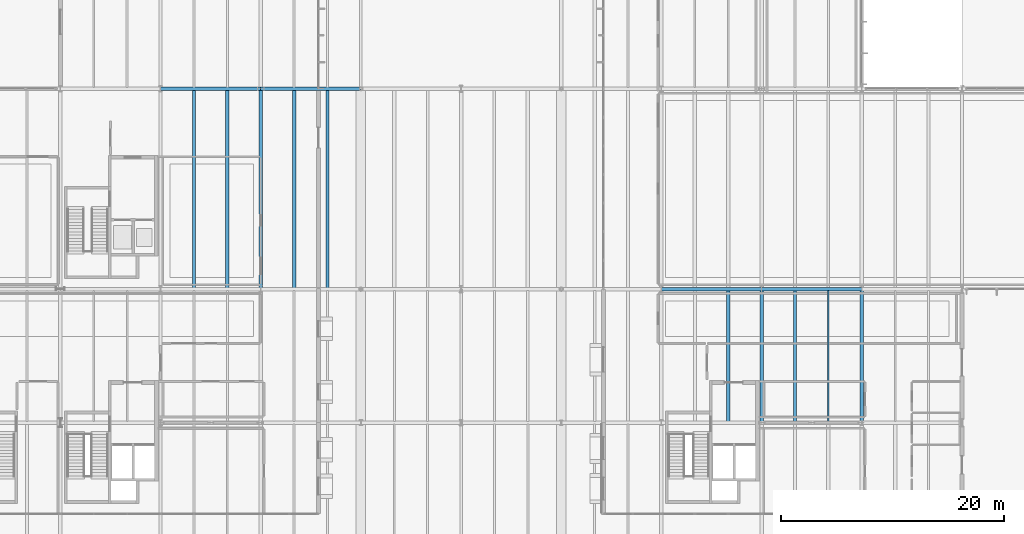
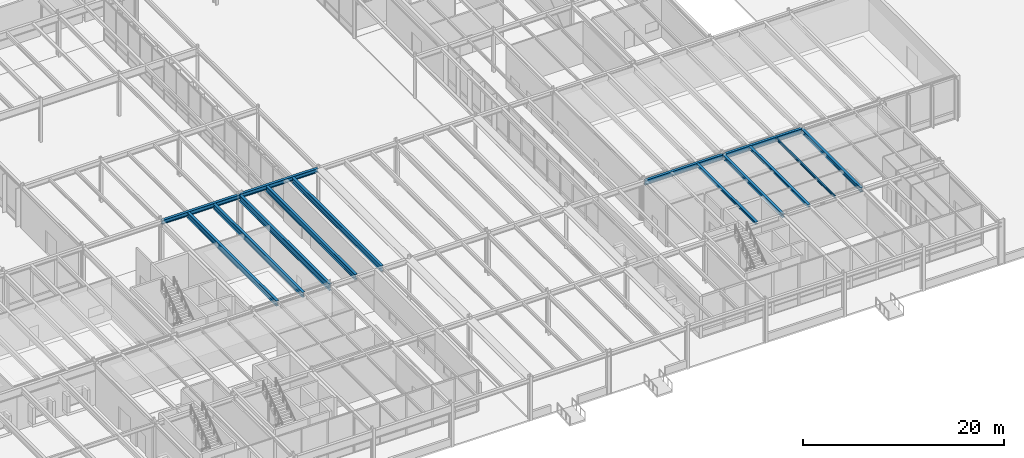
# One storey, part 39 of 143: 14 beams.
"""IFC4 building model written with IfcOpenShell, lengths in metres."""

from ifc_helpers import new_model, si_unit, direction, frame, origin, origin_2d, place, context, subcontext, project, spatial, i_section, extrude, material, material_profile, profile_set, type_object, element, save


model = new_model("IFC4")

# Units and contexts
model_context = context("Model", 3, precision=1e-05, world=origin(), true_north=direction((0.0, 1.0)))
body_context = subcontext(model_context, "Body", "Model", "MODEL_VIEW")
ifc_project = project(units=[si_unit("LENGTHUNIT", "METRE"), si_unit("AREAUNIT", "SQUARE_METRE"), si_unit("VOLUMEUNIT", "CUBIC_METRE"), si_unit("PLANEANGLEUNIT", "RADIAN"), si_unit("MASSUNIT", "GRAM", prefix="KILO")], contexts=[model_context])

# Site, building, storey
site_placement = place(None, origin())
site = spatial("IfcSite", under=ifc_project, at=site_placement, CompositionType="ELEMENT")
building_placement = place(site_placement, origin())
building = spatial("IfcBuilding", under=site, at=building_placement, Name="Montelvaro Courts of Justice", CompositionType="ELEMENT")
storey_placement = place(building_placement, origin())
storey = spatial("IfcBuildingStorey", under=building, at=storey_placement, Name="L00", CompositionType="ELEMENT", Elevation=0.0)

# Beams
ifc_material = material(Name="Steel S355", Category="steel")
ifc_material_profile_1 = material_profile(ifc_material, i_section(OverallWidth=0.300048828125, OverallDepth=0.31005859375, WebThickness=0.009033203125, FlangeThickness=0.015380859375, at=origin_2d()), Name="HEA 320")
ifc_profile_set_1 = profile_set([ifc_material_profile_1], Name="Steel S355")
beam_type_1 = type_object("IfcBeamType", Name="Beam_HEA320", PredefinedType="BEAM", material=ifc_profile_set_1)
for number, where, z_axis, x_axis, name in (
    (1, (114.0, 12.110107421875, 4.925048828125), (0.0, 1.0, 0.0), (-1.0, 0.0, 0.0), "Beam B-15 L00"),
    (2, (120.0, 12.110107421875, 4.925048828125), (0.0, 1.0, 0.0), (-1.0, 0.0, 0.0), "Beam B-15 L00"),
):
    element("IfcBeam", number, at=place(storey_placement, frame(where, z_axis=z_axis, x_axis=x_axis)), inside=storey, type_object=beam_type_1, Name=name, PredefinedType="BEAM", context=body_context, shape_type="SweptSolid", body=[
        extrude(i_section(OverallWidth=0.300048828125, OverallDepth=0.31005859375, WebThickness=0.009033203125, FlangeThickness=0.015380859375, at=origin_2d()), origin(), (0.0, 0.0, 1.0), 11.77978515625),
    ])
ifc_material_profile_2 = material_profile(ifc_material, i_section(OverallWidth=0.300048828125, OverallDepth=0.43994140625, WebThickness=0.011474609375, FlangeThickness=0.02099609375, at=origin_2d()), Name="HEA 450")
ifc_profile_set_2 = profile_set([ifc_material_profile_2], Name="Steel S355")
beam_type_2 = type_object("IfcBeamType", Name="Beam_HEA450", PredefinedType="USERDEFINED", material=ifc_profile_set_2)
beam_1_placement = place(storey_placement, frame((117.0, 12.0, 4.860107421875), z_axis=(0.0, 1.0, 0.0), x_axis=(-1.0, 0.0, 0.0)))
element("IfcBeam", 3, at=beam_1_placement, inside=storey, type_object=beam_type_2, Name="Beam B-18 L00", ObjectType="GIRDER", PredefinedType="USERDEFINED", context=body_context, shape_type="SweptSolid", body=[
    extrude(i_section(OverallWidth=0.300048828125, OverallDepth=0.43994140625, WebThickness=0.011474609375, FlangeThickness=0.02099609375, at=origin_2d()), origin(), (0.0, 0.0, 1.0), 12.0),
])
ifc_material_profile_3 = material_profile(ifc_material, i_section(OverallWidth=0.300048828125, OverallDepth=0.489990234375, WebThickness=0.011962890625, FlangeThickness=0.02294921875, at=origin_2d()), Name="HEA 500")
ifc_profile_set_3 = profile_set([ifc_material_profile_3], Name="Steel S355")
beam_type_3 = type_object("IfcBeamType", Name="Beam_HEA500", PredefinedType="USERDEFINED", material=ifc_profile_set_3)
beam_2_placement = place(storey_placement, frame((126.0, 12.0, 4.8349609375), z_axis=(0.0, 1.0, 0.0), x_axis=(-1.0, 0.0, 0.0)))
element("IfcBeam", 4, at=beam_2_placement, inside=storey, type_object=beam_type_3, Name="Beam B-19 L00", ObjectType="GIRDER", PredefinedType="USERDEFINED", context=body_context, shape_type="SweptSolid", body=[
    extrude(i_section(OverallWidth=0.300048828125, OverallDepth=0.489990234375, WebThickness=0.011962890625, FlangeThickness=0.02294921875, at=origin_2d()), origin(), (0.0, 0.0, 1.0), 12.0),
])
ifc_material_profile_4 = material_profile(ifc_material, i_section(OverallWidth=0.300048828125, OverallDepth=0.590087890625, WebThickness=0.012939453125, FlangeThickness=0.02490234375, at=origin_2d()), Name="HEA 600")
ifc_profile_set_4 = profile_set([ifc_material_profile_4], Name="Steel S355")
beam_type_4 = type_object("IfcBeamType", Name="Beam_HEA600", PredefinedType="USERDEFINED", material=ifc_profile_set_4)
for number, where, z_axis, x_axis, name in (
    (5, (108.0, 24.0, 4.784912109375), (1.0, 0.0, 0.0), (0.0, 1.0, 0.0), "Beam B-21 L00"),
    (6, (117.0, 24.0, 4.784912109375), (1.0, 0.0, 0.0), (0.0, 1.0, 0.0), "Beam B-21 L00"),
):
    element("IfcBeam", number, at=place(storey_placement, frame(where, z_axis=z_axis, x_axis=x_axis)), inside=storey, type_object=beam_type_4, Name=name, ObjectType="GIRDER", PredefinedType="USERDEFINED", context=body_context, shape_type="SweptSolid", body=[
        extrude(i_section(OverallWidth=0.300048828125, OverallDepth=0.590087890625, WebThickness=0.012939453125, FlangeThickness=0.02490234375, at=origin_2d()), origin(), (0.0, 0.0, 1.0), 9.0),
    ])
ifc_material_profile_5 = material_profile(ifc_material, i_section(OverallWidth=0.300048828125, OverallDepth=0.639892578125, WebThickness=0.013427734375, FlangeThickness=0.02587890625, at=origin_2d()), Name="HEA 650")
ifc_profile_set_5 = profile_set([ifc_material_profile_5], Name="Steel S355")
beam_type_5 = type_object("IfcBeamType", Name="Beam_HEA650", PredefinedType="USERDEFINED", material=ifc_profile_set_5)
for number, where, z_axis, x_axis, name in (
    (7, (69.0, 24.110107421875, 4.739990234375), (0.0, 1.0, 0.0), (-1.0, 0.0, 0.0), "Beam B-22 L00"),
    (8, (75.0, 24.110107421875, 4.800048828125), (0.0, 1.0, 0.0), (-1.0, 0.0, 0.0), "Beam B-22 L00"),
):
    element("IfcBeam", number, at=place(storey_placement, frame(where, z_axis=z_axis, x_axis=x_axis)), inside=storey, type_object=beam_type_5, Name=name, ObjectType="GIRDER", PredefinedType="USERDEFINED", context=body_context, shape_type="SweptSolid", body=[
        extrude(i_section(OverallWidth=0.300048828125, OverallDepth=0.639892578125, WebThickness=0.013427734375, FlangeThickness=0.02587890625, at=origin_2d()), origin(), (0.0, 0.0, 1.0), 17.77978515625),
    ])
ifc_material_profile_6 = material_profile(ifc_material, i_section(OverallWidth=0.300048828125, OverallDepth=0.68994140625, WebThickness=0.014404296875, FlangeThickness=0.027099609375, at=origin_2d()), Name="HEA 700")
ifc_profile_set_6 = profile_set([ifc_material_profile_6], Name="Steel S355")
beam_type_6 = type_object("IfcBeamType", Name="Beam_HEA700", PredefinedType="USERDEFINED", material=ifc_profile_set_6)
beam_3_placement = place(storey_placement, frame((78.0, 24.110107421875, 4.77490234375), z_axis=(0.0, 1.0, 0.0), x_axis=(-1.0, 0.0, 0.0)))
element("IfcBeam", 9, at=beam_3_placement, inside=storey, type_object=beam_type_6, Name="Beam B-23 L00", ObjectType="GIRDER", PredefinedType="USERDEFINED", context=body_context, shape_type="SweptSolid", body=[
    extrude(i_section(OverallWidth=0.300048828125, OverallDepth=0.68994140625, WebThickness=0.014404296875, FlangeThickness=0.027099609375, at=origin_2d()), origin(), (0.0, 0.0, 1.0), 17.77978515625),
])
ifc_material_profile_7 = material_profile(ifc_material, i_section(OverallWidth=0.300048828125, OverallDepth=0.5, WebThickness=0.014404296875, FlangeThickness=0.028076171875, at=origin_2d()), Name="HEB 500")
ifc_profile_set_7 = profile_set([ifc_material_profile_7], Name="Steel S355")
beam_type_7 = type_object("IfcBeamType", Name="Beam_HEB500", PredefinedType="USERDEFINED", material=ifc_profile_set_7)
beam_4_placement = place(storey_placement, frame((63.0, 42.0, 4.81005859375), z_axis=(1.0, 0.0, 0.0), x_axis=(0.0, 1.0, 0.0)))
element("IfcBeam", 10, at=beam_4_placement, inside=storey, type_object=beam_type_7, Name="Beam B-25 L00", ObjectType="GIRDER", PredefinedType="USERDEFINED", context=body_context, shape_type="SweptSolid", body=[
    extrude(i_section(OverallWidth=0.300048828125, OverallDepth=0.5, WebThickness=0.014404296875, FlangeThickness=0.028076171875, at=origin_2d()), origin(), (0.0, 0.0, 1.0), 9.0),
])
beam_5_placement = place(storey_placement, frame((72.0, 42.0, 4.8701171875), z_axis=(1.0, 0.0, 0.0), x_axis=(0.0, 1.0, 0.0)))
element("IfcBeam", 11, at=beam_5_placement, inside=storey, type_object=beam_type_7, Name="Beam B-25 L00", ObjectType="GIRDER", PredefinedType="USERDEFINED", context=body_context, shape_type="SweptSolid", body=[
    extrude(i_section(OverallWidth=0.300048828125, OverallDepth=0.5, WebThickness=0.014404296875, FlangeThickness=0.028076171875, at=origin_2d()), origin(), (0.0, 0.0, 1.0), 8.949951171875),
])
ifc_material_profile_8 = material_profile(ifc_material, i_section(OverallWidth=0.300048828125, OverallDepth=0.64990234375, WebThickness=0.01611328125, FlangeThickness=0.031005859375, at=origin_2d()), Name="HEB 650")
ifc_profile_set_8 = profile_set([ifc_material_profile_8], Name="Steel S355")
beam_type_8 = type_object("IfcBeamType", Name="Beam_HEB650", PredefinedType="USERDEFINED", material=ifc_profile_set_8)
beam_6_placement = place(storey_placement, frame((66.0, 24.110107421875, 4.735107421875), z_axis=(0.0, 1.0, 0.0), x_axis=(-1.0, 0.0, 0.0)))
element("IfcBeam", 12, at=beam_6_placement, inside=storey, type_object=beam_type_8, Name="Beam B-27 L00", ObjectType="GIRDER", PredefinedType="USERDEFINED", context=body_context, shape_type="SweptSolid", body=[
    extrude(i_section(OverallWidth=0.300048828125, OverallDepth=0.64990234375, WebThickness=0.01611328125, FlangeThickness=0.031005859375, at=origin_2d()), origin(), (0.0, 0.0, 1.0), 17.77978515625),
])
ifc_material_profile_9 = material_profile(ifc_material, i_section(OverallWidth=0.300048828125, OverallDepth=0.800048828125, WebThickness=0.017578125, FlangeThickness=0.032958984375, at=origin_2d()), Name="HEB 800")
ifc_profile_set_9 = profile_set([ifc_material_profile_9], Name="Steel S355")
beam_type_9 = type_object("IfcBeamType", Name="Beam_HEB800", PredefinedType="USERDEFINED", material=ifc_profile_set_9)
beam_7_placement = place(storey_placement, frame((72.0, 24.0, 4.659912109375), z_axis=(0.0, 1.0, 0.0), x_axis=(-1.0, 0.0, 0.0)))
element("IfcBeam", 13, at=beam_7_placement, inside=storey, type_object=beam_type_9, Name="Beam B-29 L00", ObjectType="GIRDER", PredefinedType="USERDEFINED", context=body_context, shape_type="SweptSolid", body=[
    extrude(i_section(OverallWidth=0.300048828125, OverallDepth=0.800048828125, WebThickness=0.017578125, FlangeThickness=0.032958984375, at=origin_2d()), origin(), (0.0, 0.0, 1.0), 18.0),
])
ifc_material_profile_10 = material_profile(ifc_material, i_section(OverallWidth=0.14990234375, OverallDepth=0.300048828125, WebThickness=0.007080078125, FlangeThickness=0.0107421875, at=origin_2d()), Name="IPE 300")
ifc_profile_set_10 = profile_set([ifc_material_profile_10], Name="Steel S355")
beam_type_10 = type_object("IfcBeamType", Name="Beam_IPE300", PredefinedType="BEAM", material=ifc_profile_set_10)
beam_8_placement = place(storey_placement, frame((123.0, 12.110107421875, 4.929931640625), z_axis=(0.0, 1.0, 0.0), x_axis=(-1.0, 0.0, 0.0)))
element("IfcBeam", 14, at=beam_8_placement, inside=storey, type_object=beam_type_10, Name="Beam B-05 L00", PredefinedType="BEAM", context=body_context, shape_type="SweptSolid", body=[
    extrude(i_section(OverallWidth=0.14990234375, OverallDepth=0.300048828125, WebThickness=0.007080078125, FlangeThickness=0.0107421875, at=origin_2d()), origin(), (0.0, 0.0, 1.0), 11.77978515625),
])

save(model, "model.ifc")
